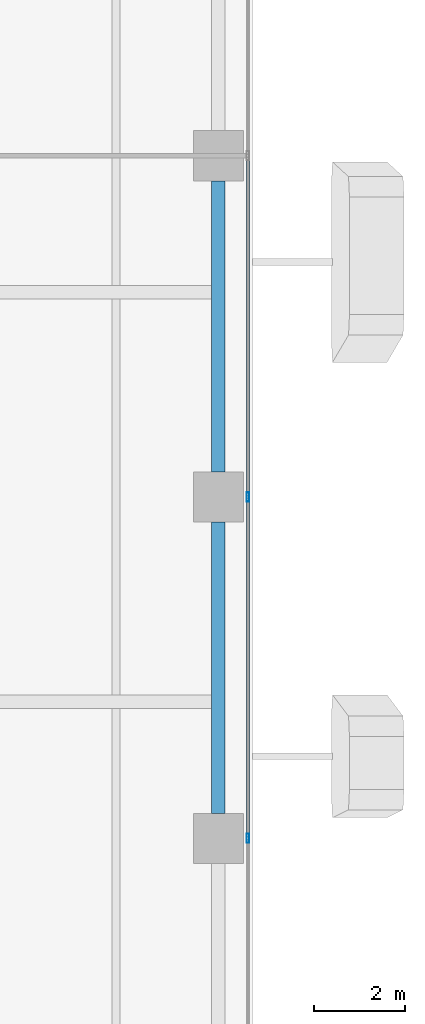
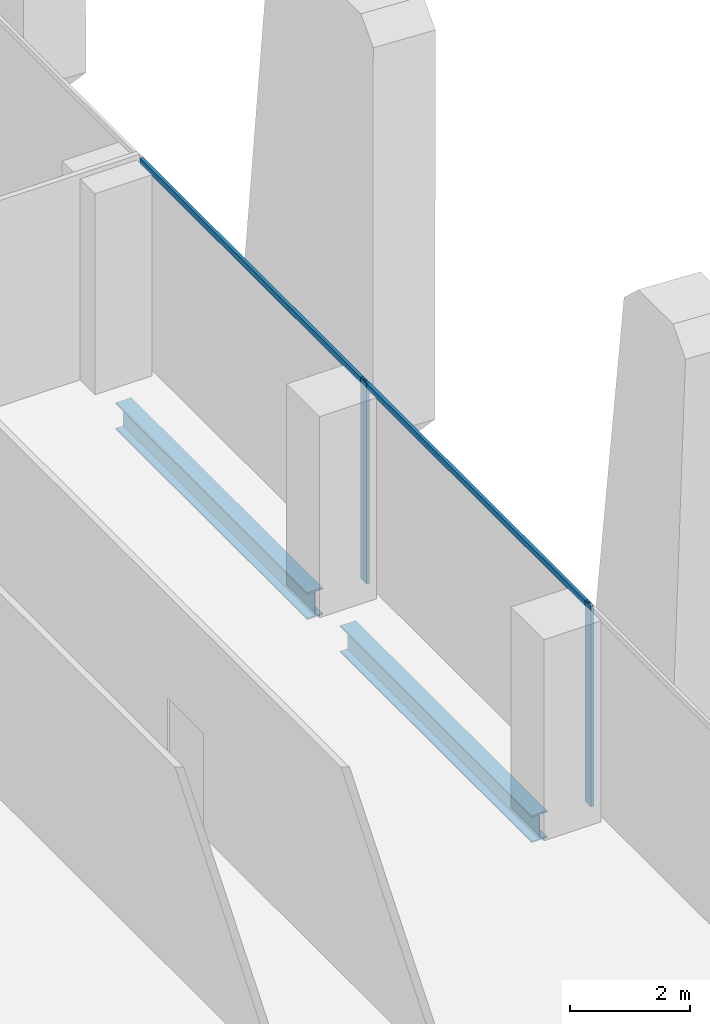
# One storey, part 13 of 35: 4 members, 2 beams, 1 element without a shape of its own.
"""IFC4 building model written with IfcOpenShell, lengths in metres."""

from ifc_helpers import new_model, si_unit, direction, frame, origin, origin_2d, place, context, subcontext, project, spatial, hollow_rectangle, i_section, extrude, source, transform, mapped, material, material_profile, profile_set, type_object, element, aggregate, save


model = new_model("IFC4")

# Units and contexts
model_context = context("Model", 3, precision=1e-05, world=origin(), true_north=direction((0.0, 1.0)))
body_context = subcontext(model_context, "Body", "Model", "MODEL_VIEW")
ifc_project = project(units=[si_unit("LENGTHUNIT", "METRE"), si_unit("AREAUNIT", "SQUARE_METRE"), si_unit("VOLUMEUNIT", "CUBIC_METRE"), si_unit("PLANEANGLEUNIT", "RADIAN"), si_unit("MASSUNIT", "GRAM", prefix="KILO")], contexts=[model_context])

# Site, building, storey
site_placement = place(None, origin())
site = spatial("IfcSite", under=ifc_project, at=site_placement, CompositionType="ELEMENT")
building_placement = place(site_placement, origin())
building = spatial("IfcBuilding", under=site, at=building_placement, Name="Khomas Fold Tower", CompositionType="ELEMENT")
storey_placement = place(building_placement, frame((0.0, 0.0, 119.10009765625)))
storey = spatial("IfcBuildingStorey", under=building, at=storey_placement, Name="L25", CompositionType="ELEMENT", Elevation=119.10009765625)

# Beams
ifc_material_1 = material(Name="Steel S355", Category="steel")
ifc_material_profile_1 = material_profile(ifc_material_1, i_section(OverallWidth=0.300048828125, OverallDepth=0.550048828125, WebThickness=0.014892578125, FlangeThickness=0.029052734375, at=origin_2d()), Name="HE 550 B")
ifc_profile_set_1 = profile_set([ifc_material_profile_1], Name="Steel S355")
beam_type = type_object("IfcBeamType", Name="HE 550 B spandrel SB2", PredefinedType="SPANDREL", material=ifc_profile_set_1)
shared_shape_1 = source(origin(), body_context, "Body", "SweptSolid", [
    extrude(i_section(OverallWidth=0.300048828125, OverallDepth=0.550048828125, WebThickness=0.014892578125, FlangeThickness=0.029052734375, at=origin_2d()), origin(), (0.0, 0.0, 1.0), 6.39990234375),
])
for number, where, z_axis, x_axis, name in (
    (1, (51.75, 20.050048828125, -0.5751953125), (0.0, 1.0, 0.0), (-1.0, 0.0, 0.0), "SB2"),
    (2, (51.75, 27.550048828125, -0.5751953125), (0.0, 1.0, 0.0), (-1.0, 0.0, 0.0), "SB2"),
):
    element("IfcBeam", number, at=place(storey_placement, frame(where, z_axis=z_axis, x_axis=x_axis)), inside=storey, type_object=beam_type, Name=name, PredefinedType="SPANDREL", context=body_context, shape_type="MappedRepresentation", body=[
        mapped(shared_shape_1, transform((0.0, 0.0, 0.0))),
    ])

# Curtain wall, members
ifc_material_2 = material(Name="Aluminium framed double glazing", Category="aluminium")
curtain_wall_type = type_object("IfcCurtainWallType", Name="SK-Unitised clear-glass wall, growing floors CW1", PredefinedType="NOTDEFINED", material=ifc_material_2)
curtain_wall_placement = place(storey_placement, origin())
curtain_wall = element("IfcCurtainWall", 3, at=curtain_wall_placement, inside=storey, type_object=curtain_wall_type, Name="CW1 run L25 03-0", PredefinedType="NOTDEFINED")
ifc_material_3 = material(Name="Aluminium", Category="aluminium")
ifc_material_profile_2 = material_profile(ifc_material_3, hollow_rectangle(XDim=0.06005859375, YDim=0.1201171875, WallThickness=0.00390625, at=origin_2d()), Name="SK-Unitised clear-glass wall, growing floors transom CW1-T")
ifc_profile_set_2 = profile_set([ifc_material_profile_2], Name="Aluminium")
member_type_1 = type_object("IfcMemberType", Name="SK-Unitised clear-glass wall, growing floors transom CW1-T", PredefinedType="USERDEFINED", material=ifc_profile_set_2)
shared_shape_2 = source(origin(), body_context, "Body", "SweptSolid", [
    extrude(hollow_rectangle(XDim=0.06005859375, YDim=0.1201171875, WallThickness=0.00390625, at=origin_2d()), origin(), (0.0, 0.0, 1.0), 7.43994140625),
])
member_1_placement = place(storey_placement, frame((52.39990234375, 19.530029296875, 4.039794921875), z_axis=(0.0, 1.0, 0.0), x_axis=(-1.0, 0.0, 0.0)))
member_1 = element("IfcMember", 4, at=member_1_placement, type_object=member_type_1, Name="CW1 transom 4", ObjectType="TRANSOM", PredefinedType="USERDEFINED", context=body_context, shape_type="MappedRepresentation", body=[
    mapped(shared_shape_2, transform((0.0, 0.0, 0.0))),
])
member_2_placement = place(storey_placement, frame((52.39990234375, 27.030029296875, 4.039794921875), z_axis=(0.0, 1.0, 0.0), x_axis=(-1.0, 0.0, 0.0)))
member_2 = element("IfcMember", 5, at=member_2_placement, type_object=member_type_1, Name="CW1 transom 5", ObjectType="TRANSOM", PredefinedType="USERDEFINED", context=body_context, shape_type="MappedRepresentation", body=[
    mapped(shared_shape_2, transform((0.0, 0.0, 0.0))),
])
ifc_material_4 = material(Name="Aluminium", Category="aluminium")
ifc_material_profile_3 = material_profile(ifc_material_4, hollow_rectangle(XDim=0.06005859375, YDim=0.199951171875, WallThickness=0.00390625, at=origin_2d()), Name="SK-Unitised clear-glass wall, growing floors mullion CW1-M")
ifc_profile_set_3 = profile_set([ifc_material_profile_3], Name="Aluminium")
member_type_2 = type_object("IfcMemberType", Name="SK-Unitised clear-glass wall, growing floors mullion CW1-M", PredefinedType="MULLION", material=ifc_profile_set_3)
shared_shape_3 = source(origin(), body_context, "Body", "SweptSolid", [
    extrude(hollow_rectangle(XDim=0.06005859375, YDim=0.199951171875, WallThickness=0.00390625, at=origin_2d()), origin(), (0.0, 0.0, 1.0), 4.099853515625),
])
member_3_placement = place(storey_placement, frame((52.39990234375, 19.5, 0.0), z_axis=(0.0, 0.0, 1.0), x_axis=(-1.0, 0.0, 0.0)))
member_3 = element("IfcMember", 6, at=member_3_placement, type_object=member_type_2, Name="CW1 mullion 4", PredefinedType="MULLION", context=body_context, shape_type="MappedRepresentation", body=[
    mapped(shared_shape_3, transform((0.0, 0.0, 0.0))),
])
member_4_placement = place(storey_placement, frame((52.39990234375, 27.0, 0.0), z_axis=(0.0, 0.0, 1.0), x_axis=(-1.0, 0.0, 0.0)))
member_4 = element("IfcMember", 7, at=member_4_placement, type_object=member_type_2, Name="CW1 mullion 5", PredefinedType="MULLION", context=body_context, shape_type="MappedRepresentation", body=[
    mapped(shared_shape_3, transform((0.0, 0.0, 0.0))),
])
aggregate(curtain_wall, [member_3, member_4, member_1, member_2])

save(model, "model.ifc")
